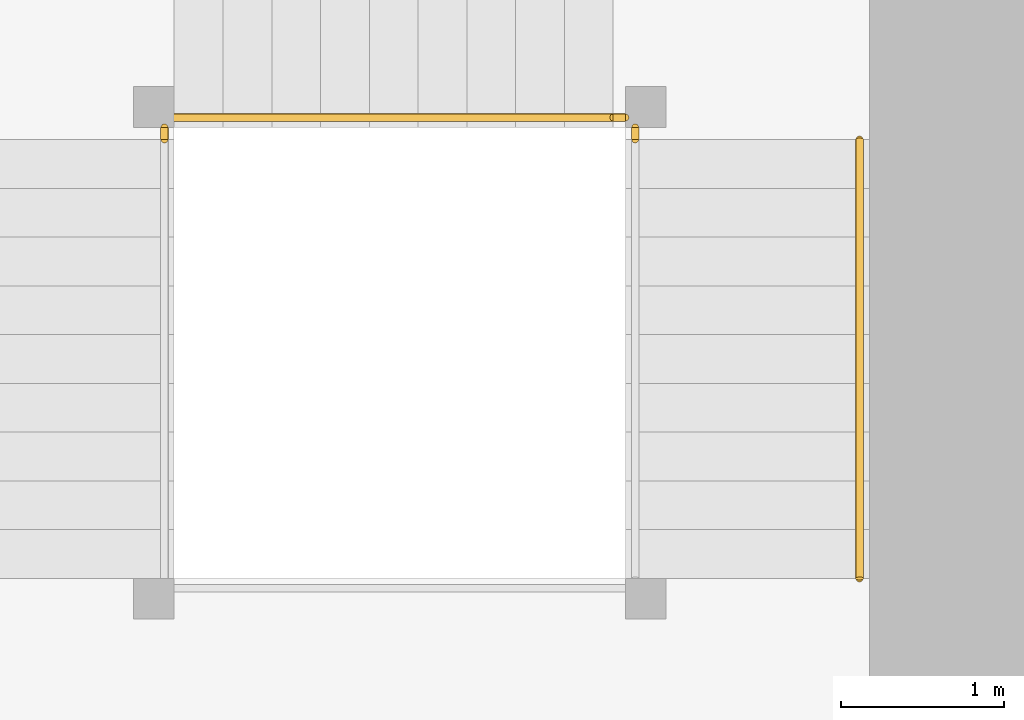
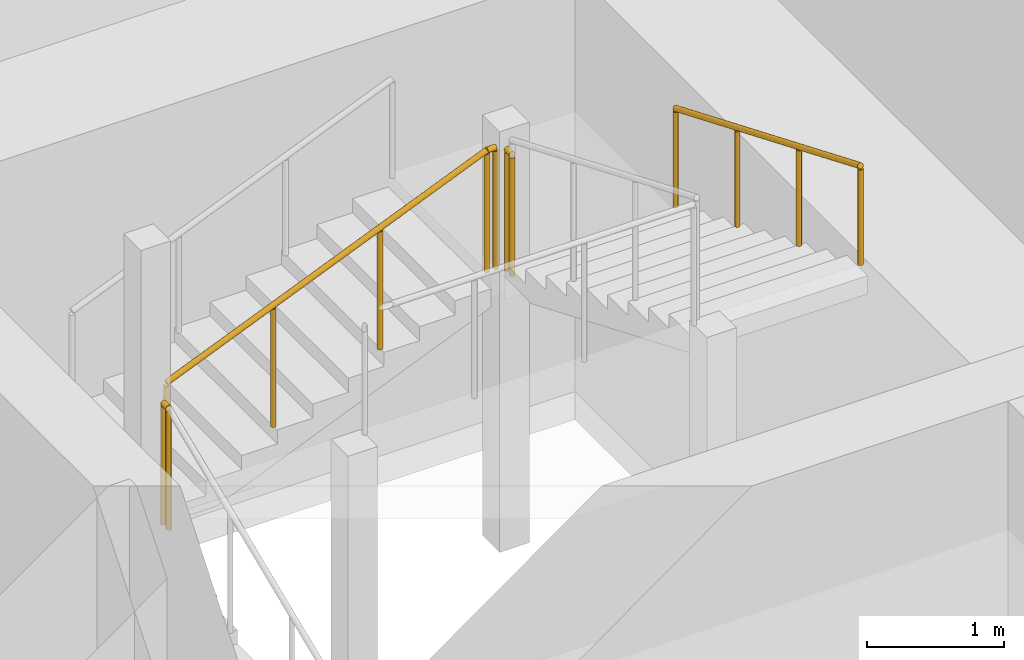
# One storey, part 44 of 45: 5 railings.
"""IFC4 building model written with IfcOpenShell, lengths in metres."""

from ifc_helpers import new_model, si_unit, direction, frame, origin, origin_2d, place, context, subcontext, project, spatial, circle, extrude, material, type_object, element, save


model = new_model("IFC4")

# Units and contexts
model_context = context("Model", 3, precision=1e-05, world=origin(), true_north=direction((0.0, 1.0)))
body_context = subcontext(model_context, "Body", "Model", "MODEL_VIEW")
ifc_project = project(units=[si_unit("LENGTHUNIT", "METRE"), si_unit("AREAUNIT", "SQUARE_METRE"), si_unit("VOLUMEUNIT", "CUBIC_METRE"), si_unit("PLANEANGLEUNIT", "RADIAN"), si_unit("MASSUNIT", "GRAM", prefix="KILO")], contexts=[model_context])

# Site, building, storey
site_placement = place(None, origin())
site = spatial("IfcSite", under=ifc_project, at=site_placement, CompositionType="ELEMENT")
building_placement = place(site_placement, origin())
building = spatial("IfcBuilding", under=site, at=building_placement, Name="Rekha Terrace Tower", CompositionType="ELEMENT")
storey_placement = place(building_placement, frame((0.0, 0.0, 77.89990234375)))
storey = spatial("IfcBuildingStorey", under=building, at=storey_placement, Name="L19", CompositionType="ELEMENT", Elevation=77.89990234375)

# Railings
ifc_material_1 = material(Name="Stainless steel balustrade", Category="steel")
railing_type_1 = type_object("IfcRailingType", Name="GR1 1100 stair guard", PredefinedType="GUARDRAIL", material=ifc_material_1)
railing_1_placement = place(storey_placement, frame((45.574951171875, 44.2099609375, 1.375)))
element("IfcRailing", 1, at=railing_1_placement, inside=storey, type_object=railing_type_1, Name="Guard ST2 L19 flight 2", PredefinedType="GUARDRAIL", context=body_context, shape_type="SweptSolid", body=[
    extrude(circle(Radius=0.02392578125, at=origin_2d()), frame((0.0, 0.0, 1.076171875), z_axis=(0.923074453586, 0.0, 0.384621311341), x_axis=(0.0, 1.0, 0.0)), (0.0, 0.0, 1.0), 2.925048828125),
    extrude(circle(Radius=0.02099609375, at=origin_2d()), origin(), (0.0, 0.0, 1.0), 1.052001953125),
    extrude(circle(Radius=0.02099609375, at=origin_2d()), frame((0.89990234375, 0.0, 0.375)), (0.0, 0.0, 1.0), 1.052001953125),
    extrude(circle(Radius=0.02099609375, at=origin_2d()), frame((1.800048828125, 0.0, 0.75)), (0.0, 0.0, 1.0), 1.052001953125),
    extrude(circle(Radius=0.02099609375, at=origin_2d()), frame((2.699951171875, 0.0, 1.125)), (0.0, 0.0, 1.0), 1.052001953125),
])
railing_2_placement = place(storey_placement, frame((45.514892578125, 44.074951171875, 1.25)))
element("IfcRailing", 2, at=railing_2_placement, inside=storey, type_object=railing_type_1, Name="Guard ST2 L19 landing 1", PredefinedType="GUARDRAIL", context=body_context, shape_type="SweptSolid", body=[
    extrude(circle(Radius=0.02392578125, at=origin_2d()), frame((0.0, 0.0, 1.076171875), z_axis=(0.0, 1.0, 0.0), x_axis=(-1.0, 0.0, 0.0)), (0.0, 0.0, 1.0), 0.074951171875),
    extrude(circle(Radius=0.02099609375, at=origin_2d()), origin(), (0.0, 0.0, 1.0), 1.052001953125),
    extrude(circle(Radius=0.02099609375, at=origin_2d()), frame((0.0, 0.074951171875, 0.0)), (0.0, 0.0, 1.0), 1.052001953125),
])
railing_3_placement = place(storey_placement, frame((48.27490234375, 44.2099609375, 2.5)))
element("IfcRailing", 3, at=railing_3_placement, inside=storey, type_object=railing_type_1, Name="Guard ST2 L19 landing 2", PredefinedType="GUARDRAIL", context=body_context, shape_type="SweptSolid", body=[
    extrude(circle(Radius=0.02392578125, at=origin_2d()), frame((0.0, 0.0, 1.076171875), z_axis=(1.0, 0.0, 0.0), x_axis=(0.0, 1.0, 0.0)), (0.0, 0.0, 1.0), 0.0751953125),
    extrude(circle(Radius=0.02099609375, at=origin_2d()), origin(), (0.0, 0.0, 1.0), 1.052001953125),
    extrude(circle(Radius=0.02099609375, at=origin_2d()), frame((0.0751953125, 0.0, 0.0)), (0.0, 0.0, 1.0), 1.052001953125),
])
railing_4_placement = place(storey_placement, frame((48.409912109375, 44.074951171875, 2.5)))
element("IfcRailing", 4, at=railing_4_placement, inside=storey, type_object=railing_type_1, Name="Guard ST2 L19 landing 3", PredefinedType="GUARDRAIL", context=body_context, shape_type="SweptSolid", body=[
    extrude(circle(Radius=0.02392578125, at=origin_2d()), frame((0.0, 0.0, 1.076171875), z_axis=(0.0, 1.0, 0.0), x_axis=(-1.0, 0.0, 0.0)), (0.0, 0.0, 1.0), 0.074951171875),
    extrude(circle(Radius=0.02099609375, at=origin_2d()), origin(), (0.0, 0.0, 1.0), 1.052001953125),
    extrude(circle(Radius=0.02099609375, at=origin_2d()), frame((0.0, 0.074951171875, 0.0)), (0.0, 0.0, 1.0), 1.052001953125),
])
ifc_material_2 = material(Name="Stainless steel tube", Category="steel")
railing_type_2 = type_object("IfcRailingType", Name="HR1 900 stair handrail", PredefinedType="HANDRAIL", material=ifc_material_2)
railing_5_placement = place(storey_placement, frame((49.7900390625, 44.074951171875, 2.625)))
element("IfcRailing", 5, at=railing_5_placement, inside=storey, type_object=railing_type_2, Name="Handrail ST2 L19 flight 3", PredefinedType="HANDRAIL", context=body_context, shape_type="SweptSolid", body=[
    extrude(circle(Radius=0.02392578125, at=origin_2d()), frame((0.0, 0.0, 0.8759765625), z_axis=(0.0, -0.923074453586, 0.384621311341), x_axis=(1.0, 0.0, 0.0)), (0.0, 0.0, 1.0), 2.925048828125),
    extrude(circle(Radius=0.02099609375, at=origin_2d()), origin(), (0.0, 0.0, 1.0), 0.851806640625),
    extrude(circle(Radius=0.02099609375, at=origin_2d()), frame((0.0, -0.89990234375, 0.375)), (0.0, 0.0, 1.0), 0.851806640625),
    extrude(circle(Radius=0.02099609375, at=origin_2d()), frame((0.0, -1.800048828125, 0.75)), (0.0, 0.0, 1.0), 0.851806640625),
    extrude(circle(Radius=0.02099609375, at=origin_2d()), frame((0.0, -2.699951171875, 1.125)), (0.0, 0.0, 1.0), 0.851806640625),
])

save(model, "model.ifc")
